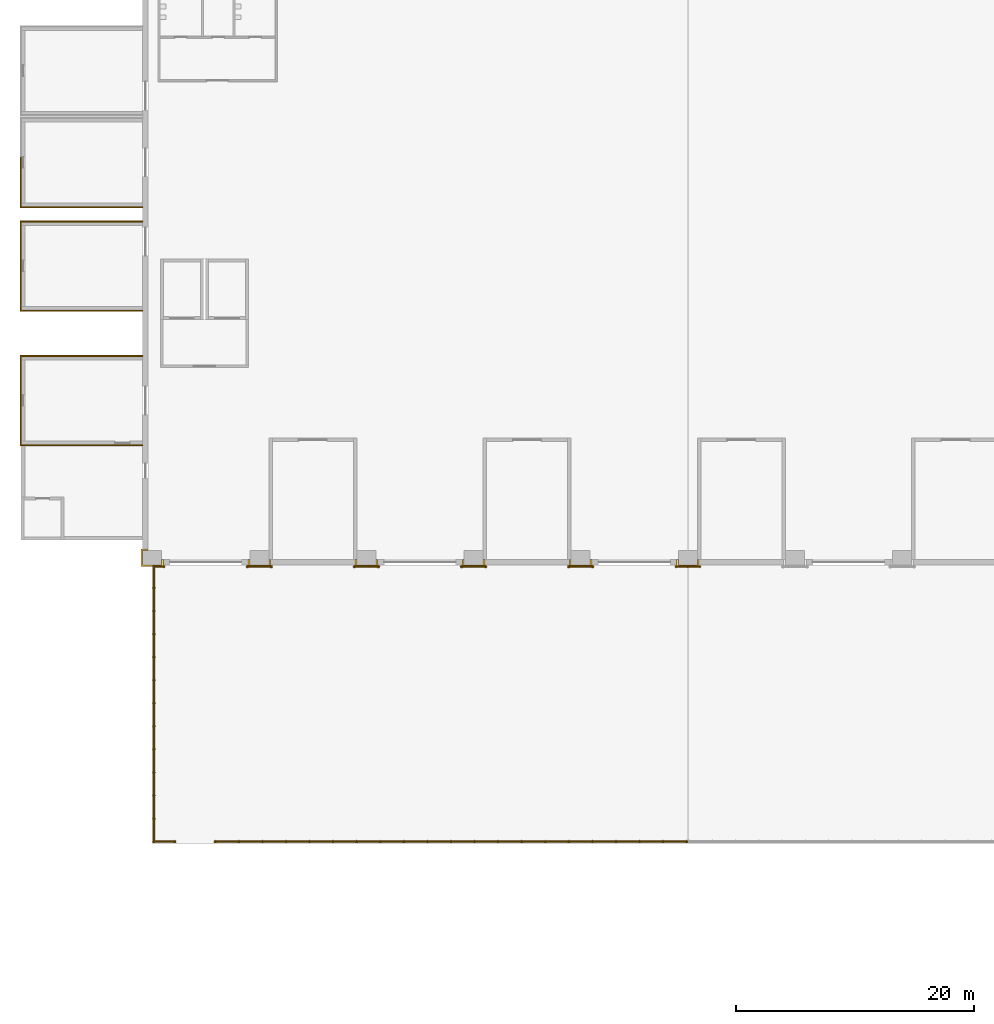
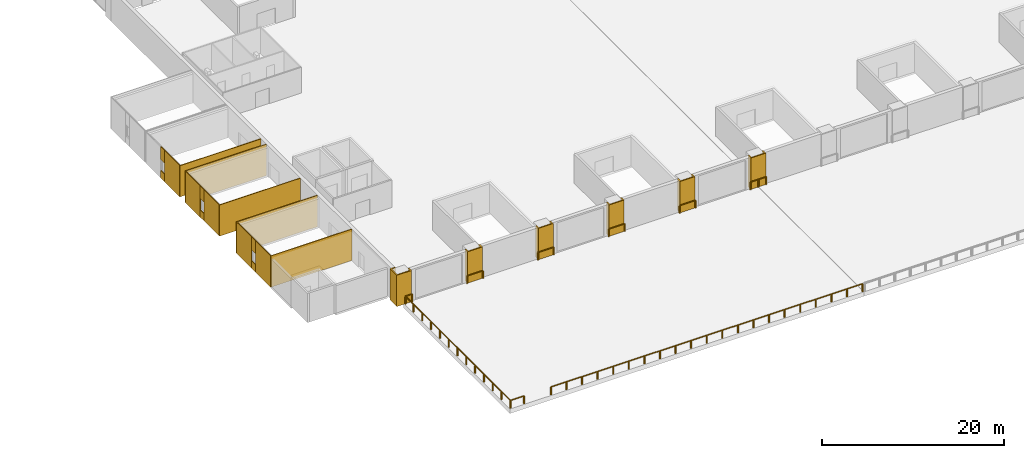
# One storey, part 29 of 39: 22 coverings, 9 railings.
"""IFC4 building model written with IfcOpenShell, lengths in metres."""

from ifc_helpers import new_model, si_unit, direction, frame, origin, origin_2d, place, context, subcontext, project, spatial, polyline, circle, outline, extrude, material, layer, layer_set, type_object, element, save


model = new_model("IFC4")

# Units and contexts
model_context = context("Model", 3, precision=1e-05, world=origin(), true_north=direction((0.0, 1.0)))
body_context = subcontext(model_context, "Body", "Model", "MODEL_VIEW")
ifc_project = project(units=[si_unit("LENGTHUNIT", "METRE"), si_unit("AREAUNIT", "SQUARE_METRE"), si_unit("VOLUMEUNIT", "CUBIC_METRE"), si_unit("PLANEANGLEUNIT", "RADIAN"), si_unit("MASSUNIT", "GRAM", prefix="KILO")], contexts=[model_context])

# Site, building, storey
site_placement = place(None, origin())
site = spatial("IfcSite", under=ifc_project, at=site_placement, CompositionType="ELEMENT")
building_placement = place(site_placement, origin())
building = spatial("IfcBuilding", under=site, at=building_placement, Name="Aravalli Gate Trade Fair Centre", CompositionType="ELEMENT")
storey_placement = place(building_placement, frame((0.0, 0.0, 15.0)))
storey = spatial("IfcBuildingStorey", under=building, at=storey_placement, Name="L03", CompositionType="ELEMENT", Elevation=15.0)

# Railings
ifc_material_1 = material(Name="Steel E350", Category="steel")
railing_type = type_object("IfcRailingType", Name="Crash barrier 1100", PredefinedType="USERDEFINED", material=ifc_material_1)
railing_1_placement = place(storey_placement, frame((6.14990234375, 45.39990234375, 0.0)))
element("IfcRailing", 1, at=railing_1_placement, inside=storey, type_object=railing_type, Name="Crash barrier 1", ObjectType="Crash barrier", PredefinedType="USERDEFINED", context=body_context, shape_type="SweptSolid", body=[
    extrude(circle(Radius=0.06982421875, at=origin_2d()), frame((0.0, 0.0, 1.0302734375), z_axis=(0.0, -1.0, 0.0), x_axis=(1.0, 0.0, 0.0)), (0.0, 0.0, 1.0), 23.25),
    extrude(circle(Radius=0.06982421875, at=origin_2d()), frame((0.0, -23.25, 1.0302734375), z_axis=(1.0, 0.0, 0.0), x_axis=(0.0, 1.0, 0.0)), (0.0, 0.0, 1.0), 1.75),
    extrude(circle(Radius=0.10009765625, at=origin_2d()), origin(), (0.0, 0.0, 1.0), 0.960205078125),
    extrude(circle(Radius=0.10009765625, at=origin_2d()), frame((0.0, -1.9375, 0.0)), (0.0, 0.0, 1.0), 0.960205078125),
    extrude(circle(Radius=0.10009765625, at=origin_2d()), frame((0.0, -3.875, 0.0)), (0.0, 0.0, 1.0), 0.960205078125),
    extrude(circle(Radius=0.10009765625, at=origin_2d()), frame((0.0, -5.8125, 0.0)), (0.0, 0.0, 1.0), 0.960205078125),
    extrude(circle(Radius=0.10009765625, at=origin_2d()), frame((0.0, -7.75, 0.0)), (0.0, 0.0, 1.0), 0.960205078125),
    extrude(circle(Radius=0.10009765625, at=origin_2d()), frame((0.0, -9.6875, 0.0)), (0.0, 0.0, 1.0), 0.960205078125),
    extrude(circle(Radius=0.10009765625, at=origin_2d()), frame((0.0, -11.625, 0.0)), (0.0, 0.0, 1.0), 0.960205078125),
    extrude(circle(Radius=0.10009765625, at=origin_2d()), frame((0.0, -13.5625, 0.0)), (0.0, 0.0, 1.0), 0.960205078125),
    extrude(circle(Radius=0.10009765625, at=origin_2d()), frame((0.0, -15.5, 0.0)), (0.0, 0.0, 1.0), 0.960205078125),
    extrude(circle(Radius=0.10009765625, at=origin_2d()), frame((0.0, -17.4375, 0.0)), (0.0, 0.0, 1.0), 0.960205078125),
    extrude(circle(Radius=0.10009765625, at=origin_2d()), frame((0.0, -19.375, 0.0)), (0.0, 0.0, 1.0), 0.960205078125),
    extrude(circle(Radius=0.10009765625, at=origin_2d()), frame((0.0, -21.3125, 0.0)), (0.0, 0.0, 1.0), 0.960205078125),
    extrude(circle(Radius=0.10009765625, at=origin_2d()), frame((0.0, -23.25, 0.0)), (0.0, 0.0, 1.0), 0.960205078125),
    extrude(circle(Radius=0.10009765625, at=origin_2d()), frame((1.75, -23.25, 0.0)), (0.0, 0.0, 1.0), 0.960205078125),
])
railing_2_placement = place(storey_placement, frame((11.300048828125, 22.14990234375, 0.0)))
element("IfcRailing", 2, at=railing_2_placement, inside=storey, type_object=railing_type, Name="Crash barrier 2", ObjectType="Crash barrier", PredefinedType="USERDEFINED", context=body_context, shape_type="SweptSolid", body=[
    extrude(circle(Radius=0.06982421875, at=origin_2d()), frame((0.0, 0.0, 1.0302734375), z_axis=(1.0, 0.0, 0.0), x_axis=(0.0, 1.0, 0.0)), (0.0, 0.0, 1.0), 39.599853515625),
    extrude(circle(Radius=0.10009765625, at=origin_2d()), origin(), (0.0, 0.0, 1.0), 0.960205078125),
    extrude(circle(Radius=0.10009765625, at=origin_2d()), frame((1.97998046875, 0.0, 0.0)), (0.0, 0.0, 1.0), 0.960205078125),
    extrude(circle(Radius=0.10009765625, at=origin_2d()), frame((3.9599609375, 0.0, 0.0)), (0.0, 0.0, 1.0), 0.960205078125),
    extrude(circle(Radius=0.10009765625, at=origin_2d()), frame((5.93994140625, 0.0, 0.0)), (0.0, 0.0, 1.0), 0.960205078125),
    extrude(circle(Radius=0.10009765625, at=origin_2d()), frame((7.919921875, 0.0, 0.0)), (0.0, 0.0, 1.0), 0.960205078125),
    extrude(circle(Radius=0.10009765625, at=origin_2d()), frame((9.89990234375, 0.0, 0.0)), (0.0, 0.0, 1.0), 0.960205078125),
    extrude(circle(Radius=0.10009765625, at=origin_2d()), frame((11.8798828125, 0.0, 0.0)), (0.0, 0.0, 1.0), 0.960205078125),
    extrude(circle(Radius=0.10009765625, at=origin_2d()), frame((13.85986328125, 0.0, 0.0)), (0.0, 0.0, 1.0), 0.960205078125),
    extrude(circle(Radius=0.10009765625, at=origin_2d()), frame((15.83984375, 0.0, 0.0)), (0.0, 0.0, 1.0), 0.960205078125),
    extrude(circle(Radius=0.10009765625, at=origin_2d()), frame((17.81982421875, 0.0, 0.0)), (0.0, 0.0, 1.0), 0.960205078125),
    extrude(circle(Radius=0.10009765625, at=origin_2d()), frame((19.7998046875, 0.0, 0.0)), (0.0, 0.0, 1.0), 0.960205078125),
    extrude(circle(Radius=0.10009765625, at=origin_2d()), frame((21.780029296875, 0.0, 0.0)), (0.0, 0.0, 1.0), 0.960205078125),
    extrude(circle(Radius=0.10009765625, at=origin_2d()), frame((23.760009765625, 0.0, 0.0)), (0.0, 0.0, 1.0), 0.960205078125),
    extrude(circle(Radius=0.10009765625, at=origin_2d()), frame((25.739990234375, 0.0, 0.0)), (0.0, 0.0, 1.0), 0.960205078125),
    extrude(circle(Radius=0.10009765625, at=origin_2d()), frame((27.719970703125, 0.0, 0.0)), (0.0, 0.0, 1.0), 0.960205078125),
    extrude(circle(Radius=0.10009765625, at=origin_2d()), frame((29.699951171875, 0.0, 0.0)), (0.0, 0.0, 1.0), 0.960205078125),
    extrude(circle(Radius=0.10009765625, at=origin_2d()), frame((31.679931640625, 0.0, 0.0)), (0.0, 0.0, 1.0), 0.960205078125),
    extrude(circle(Radius=0.10009765625, at=origin_2d()), frame((33.659912109375, 0.0, 0.0)), (0.0, 0.0, 1.0), 0.960205078125),
    extrude(circle(Radius=0.10009765625, at=origin_2d()), frame((35.639892578125, 0.0, 0.0)), (0.0, 0.0, 1.0), 0.960205078125),
    extrude(circle(Radius=0.10009765625, at=origin_2d()), frame((37.619873046875, 0.0, 0.0)), (0.0, 0.0, 1.0), 0.960205078125),
    extrude(circle(Radius=0.10009765625, at=origin_2d()), frame((39.599853515625, 0.0, 0.0)), (0.0, 0.0, 1.0), 0.960205078125),
])
railing_3_placement = place(storey_placement, frame((6.14990234375, 45.25, 0.0)))
element("IfcRailing", 3, at=railing_3_placement, inside=storey, type_object=railing_type, Name="Pier crash rail 1", ObjectType="Crash barrier", PredefinedType="USERDEFINED", context=body_context, shape_type="SweptSolid", body=[
    extrude(circle(Radius=0.06982421875, at=origin_2d()), frame((0.0, 0.0, 1.0302734375), z_axis=(1.0, 0.0, 0.0), x_axis=(0.0, 1.0, 0.0)), (0.0, 0.0, 1.0), 0.85009765625),
    extrude(circle(Radius=0.10009765625, at=origin_2d()), origin(), (0.0, 0.0, 1.0), 0.960205078125),
    extrude(circle(Radius=0.10009765625, at=origin_2d()), frame((0.85009765625, 0.0, 0.0)), (0.0, 0.0, 1.0), 0.960205078125),
])
for number, where, name in (
    (4, (14.0, 45.25, 0.0), "Pier crash rail 2"),
    (5, (23.0, 45.25, 0.0), "Pier crash rail 3"),
    (6, (32.0, 45.25, 0.0), "Pier crash rail 4"),
    (7, (41.0, 45.25, 0.0), "Pier crash rail 5"),
):
    element("IfcRailing", number, at=place(storey_placement, frame(where)), inside=storey, type_object=railing_type, Name=name, ObjectType="Crash barrier", PredefinedType="USERDEFINED", context=body_context, shape_type="SweptSolid", body=[
        extrude(circle(Radius=0.06982421875, at=origin_2d()), frame((0.0, 0.0, 1.0302734375), z_axis=(1.0, 0.0, 0.0), x_axis=(0.0, 1.0, 0.0)), (0.0, 0.0, 1.0), 2.0),
        extrude(circle(Radius=0.10009765625, at=origin_2d()), origin(), (0.0, 0.0, 1.0), 0.960205078125),
        extrude(circle(Radius=0.10009765625, at=origin_2d()), frame((2.0, 0.0, 0.0)), (0.0, 0.0, 1.0), 0.960205078125),
    ])
for number, where, name in (
    (8, (50.0, 45.25, 0.0), "Pier crash rail 6"),
    (9, (51.02001953125, 45.25, 0.0), "Pier crash rail 7"),
):
    element("IfcRailing", number, at=place(storey_placement, frame(where)), inside=storey, type_object=railing_type, Name=name, ObjectType="Crash barrier", PredefinedType="USERDEFINED", context=body_context, shape_type="SweptSolid", body=[
        extrude(circle(Radius=0.06982421875, at=origin_2d()), frame((0.0, 0.0, 1.0302734375), z_axis=(1.0, 0.0, 0.0), x_axis=(0.0, 1.0, 0.0)), (0.0, 0.0, 1.0), 0.97998046875),
        extrude(circle(Radius=0.10009765625, at=origin_2d()), origin(), (0.0, 0.0, 1.0), 0.960205078125),
        extrude(circle(Radius=0.10009765625, at=origin_2d()), frame((0.97998046875, 0.0, 0.0)), (0.0, 0.0, 1.0), 0.960205078125),
    ])

# Coverings
ifc_material_2 = material(Name="Terracotta", Category="masonry")
ifc_layer_1 = layer(ifc_material_2, 0.10009765625)
ifc_layer_set_1 = layer_set([ifc_layer_1], Name="Terracotta")
covering_type_1 = type_object("IfcCoveringType", Name="End tower cladding 100", PredefinedType="CLADDING", material=ifc_layer_set_1)
covering_1_placement = place(storey_placement, origin())
element("IfcCovering", 10, at=covering_1_placement, inside=storey, type_object=covering_type_1, Name="End tower W1 cladding L03 side A", PredefinedType="CLADDING", context=body_context, shape_type="SweptSolid", body=[
    extrude(outline(polyline([(5.199951171875, 55.39990234375), (-5.10009765625, 55.39990234375), (-5.10009765625, 55.5), (5.199951171875, 55.5), (5.199951171875, 55.39990234375)])), origin(), (0.0, 0.0, 1.0), 4.199951171875),
])
covering_2_placement = place(storey_placement, origin())
element("IfcCovering", 11, at=covering_2_placement, inside=storey, type_object=covering_type_1, Name="End tower W1 cladding L03 side B", PredefinedType="CLADDING", context=body_context, shape_type="SweptSolid", body=[
    extrude(outline(polyline([(5.199951171875, 62.89990234375), (-5.10009765625, 62.89990234375), (-5.10009765625, 63.0), (5.199951171875, 63.0), (5.199951171875, 62.89990234375)])), origin(), (0.0, 0.0, 1.0), 4.199951171875),
])
covering_3_placement = place(storey_placement, origin())
element("IfcCovering", 12, at=covering_3_placement, inside=storey, type_object=covering_type_1, Name="End tower W1 cladding L03 far left", PredefinedType="CLADDING", context=body_context, shape_type="SweptSolid", body=[
    extrude(outline(polyline([(-5.0, 55.5), (-5.10009765625, 55.5), (-5.10009765625, 58.75), (-5.0, 58.75), (-5.0, 55.5)])), origin(), (0.0, 0.0, 1.0), 4.199951171875),
])
covering_4_placement = place(storey_placement, origin())
element("IfcCovering", 13, at=covering_4_placement, inside=storey, type_object=covering_type_1, Name="End tower W1 cladding L03 far right", PredefinedType="CLADDING", context=body_context, shape_type="SweptSolid", body=[
    extrude(outline(polyline([(-5.0, 59.64990234375), (-5.10009765625, 59.64990234375), (-5.10009765625, 62.89990234375), (-5.0, 62.89990234375), (-5.0, 59.64990234375)])), origin(), (0.0, 0.0, 1.0), 4.199951171875),
])
covering_5_placement = place(storey_placement, origin())
element("IfcCovering", 14, at=covering_5_placement, inside=storey, type_object=covering_type_1, Name="End tower W1 cladding L03 below the window", PredefinedType="CLADDING", context=body_context, shape_type="SweptSolid", body=[
    extrude(outline(polyline([(-5.0, 58.75), (-5.10009765625, 58.75), (-5.10009765625, 59.64990234375), (-5.0, 59.64990234375), (-5.0, 58.75)])), origin(), (0.0, 0.0, 1.0), 1.0),
])
covering_6_placement = place(storey_placement, frame((0.0, 0.0, 2.5)))
element("IfcCovering", 15, at=covering_6_placement, inside=storey, type_object=covering_type_1, Name="End tower W1 cladding L03 above the window", PredefinedType="CLADDING", context=body_context, shape_type="SweptSolid", body=[
    extrude(outline(polyline([(-5.0, 58.75), (-5.10009765625, 58.75), (-5.10009765625, 59.64990234375), (-5.0, 59.64990234375), (-5.0, 58.75)])), origin(), (0.0, 0.0, 1.0), 1.699951171875),
])
covering_7_placement = place(storey_placement, origin())
element("IfcCovering", 16, at=covering_7_placement, inside=storey, type_object=covering_type_1, Name="End tower W2 cladding L03 side A", PredefinedType="CLADDING", context=body_context, shape_type="SweptSolid", body=[
    extrude(outline(polyline([(5.199951171875, 75.39990234375), (-5.10009765625, 75.39990234375), (-5.10009765625, 75.5), (5.199951171875, 75.5), (5.199951171875, 75.39990234375)])), origin(), (0.0, 0.0, 1.0), 4.199951171875),
])
covering_8_placement = place(storey_placement, origin())
element("IfcCovering", 17, at=covering_8_placement, inside=storey, type_object=covering_type_1, Name="End tower W2 cladding L03 far left", PredefinedType="CLADDING", context=body_context, shape_type="SweptSolid", body=[
    extrude(outline(polyline([(-5.0, 75.5), (-5.10009765625, 75.5), (-5.10009765625, 78.75), (-5.0, 78.75), (-5.0, 75.5)])), origin(), (0.0, 0.0, 1.0), 4.199951171875),
])
covering_9_placement = place(storey_placement, origin())
element("IfcCovering", 18, at=covering_9_placement, inside=storey, type_object=covering_type_1, Name="End tower W2 cladding L03 below the window", PredefinedType="CLADDING", context=body_context, shape_type="SweptSolid", body=[
    extrude(outline(polyline([(-5.0, 78.75), (-5.10009765625, 78.75), (-5.10009765625, 79.64990234375), (-5.0, 79.64990234375), (-5.0, 78.75)])), origin(), (0.0, 0.0, 1.0), 1.0),
])
covering_10_placement = place(storey_placement, frame((0.0, 0.0, 2.5)))
element("IfcCovering", 19, at=covering_10_placement, inside=storey, type_object=covering_type_1, Name="End tower W2 cladding L03 above the window", PredefinedType="CLADDING", context=body_context, shape_type="SweptSolid", body=[
    extrude(outline(polyline([(-5.0, 78.75), (-5.10009765625, 78.75), (-5.10009765625, 79.64990234375), (-5.0, 79.64990234375), (-5.0, 78.75)])), origin(), (0.0, 0.0, 1.0), 1.699951171875),
])
covering_11_placement = place(storey_placement, origin())
element("IfcCovering", 20, at=covering_11_placement, inside=storey, type_object=covering_type_1, Name="End tower W4 cladding L03 side A", PredefinedType="CLADDING", context=body_context, shape_type="SweptSolid", body=[
    extrude(outline(polyline([(5.199951171875, 66.699951171875), (-5.10009765625, 66.699951171875), (-5.10009765625, 66.800048828125), (5.199951171875, 66.800048828125), (5.199951171875, 66.699951171875)])), origin(), (0.0, 0.0, 1.0), 4.199951171875),
])
covering_12_placement = place(storey_placement, origin())
element("IfcCovering", 21, at=covering_12_placement, inside=storey, type_object=covering_type_1, Name="End tower W4 cladding L03 side B", PredefinedType="CLADDING", context=body_context, shape_type="SweptSolid", body=[
    extrude(outline(polyline([(5.199951171875, 74.199951171875), (-5.10009765625, 74.199951171875), (-5.10009765625, 74.300048828125), (5.199951171875, 74.300048828125), (5.199951171875, 74.199951171875)])), origin(), (0.0, 0.0, 1.0), 4.199951171875),
])
covering_13_placement = place(storey_placement, origin())
element("IfcCovering", 22, at=covering_13_placement, inside=storey, type_object=covering_type_1, Name="End tower W4 cladding L03 far left", PredefinedType="CLADDING", context=body_context, shape_type="SweptSolid", body=[
    extrude(outline(polyline([(-5.0, 66.800048828125), (-5.10009765625, 66.800048828125), (-5.10009765625, 70.050048828125), (-5.0, 70.050048828125), (-5.0, 66.800048828125)])), origin(), (0.0, 0.0, 1.0), 4.199951171875),
])
covering_14_placement = place(storey_placement, origin())
element("IfcCovering", 23, at=covering_14_placement, inside=storey, type_object=covering_type_1, Name="End tower W4 cladding L03 far right", PredefinedType="CLADDING", context=body_context, shape_type="SweptSolid", body=[
    extrude(outline(polyline([(-5.0, 70.949951171875), (-5.10009765625, 70.949951171875), (-5.10009765625, 74.199951171875), (-5.0, 74.199951171875), (-5.0, 70.949951171875)])), origin(), (0.0, 0.0, 1.0), 4.199951171875),
])
covering_15_placement = place(storey_placement, origin())
element("IfcCovering", 24, at=covering_15_placement, inside=storey, type_object=covering_type_1, Name="End tower W4 cladding L03 below the window", PredefinedType="CLADDING", context=body_context, shape_type="SweptSolid", body=[
    extrude(outline(polyline([(-5.0, 70.050048828125), (-5.10009765625, 70.050048828125), (-5.10009765625, 70.949951171875), (-5.0, 70.949951171875), (-5.0, 70.050048828125)])), origin(), (0.0, 0.0, 1.0), 1.0),
])
covering_16_placement = place(storey_placement, frame((0.0, 0.0, 2.5)))
element("IfcCovering", 25, at=covering_16_placement, inside=storey, type_object=covering_type_1, Name="End tower W4 cladding L03 above the window", PredefinedType="CLADDING", context=body_context, shape_type="SweptSolid", body=[
    extrude(outline(polyline([(-5.0, 70.050048828125), (-5.10009765625, 70.050048828125), (-5.10009765625, 70.949951171875), (-5.0, 70.949951171875), (-5.0, 70.050048828125)])), origin(), (0.0, 0.0, 1.0), 1.699951171875),
])
ifc_layer_2 = layer(ifc_material_2, 0.14990234375)
ifc_layer_set_2 = layer_set([ifc_layer_2], Name="Terracotta")
covering_type_2 = type_object("IfcCoveringType", Name="Terracotta pier casing", PredefinedType="CLADDING", material=ifc_layer_set_2)
covering_17_placement = place(storey_placement, origin())
element("IfcCovering", 26, at=covering_17_placement, inside=storey, type_object=covering_type_2, Name="Clad pier A1 L03", PredefinedType="CLADDING", context=body_context, shape_type="SweptSolid", body=[
    extrude(outline(polyline([(5.050048828125, 46.75), (5.64990234375, 46.75), (5.64990234375, 46.60009765625), (5.199951171875, 46.60009765625), (5.199951171875, 45.39990234375), (6.800048828125, 45.39990234375), (6.800048828125, 45.85009765625), (6.949951171875, 45.85009765625), (6.949951171875, 45.25), (5.050048828125, 45.25), (5.050048828125, 46.75)])), origin(), (0.0, 0.0, 1.0), 4.199951171875),
])
covering_18_placement = place(storey_placement, origin())
element("IfcCovering", 27, at=covering_18_placement, inside=storey, type_object=covering_type_2, Name="Clad pier A2 L03", PredefinedType="CLADDING", context=body_context, shape_type="SweptSolid", body=[
    extrude(outline(polyline([(14.050048828125, 45.85009765625), (14.199951171875, 45.85009765625), (14.199951171875, 45.39990234375), (15.800048828125, 45.39990234375), (15.800048828125, 45.85009765625), (15.949951171875, 45.85009765625), (15.949951171875, 45.25), (14.050048828125, 45.25), (14.050048828125, 45.85009765625)])), origin(), (0.0, 0.0, 1.0), 4.199951171875),
])
covering_19_placement = place(storey_placement, origin())
element("IfcCovering", 28, at=covering_19_placement, inside=storey, type_object=covering_type_2, Name="Clad pier A3 L03", PredefinedType="CLADDING", context=body_context, shape_type="SweptSolid", body=[
    extrude(outline(polyline([(23.050048828125, 45.85009765625), (23.199951171875, 45.85009765625), (23.199951171875, 45.39990234375), (24.800048828125, 45.39990234375), (24.800048828125, 45.85009765625), (24.949951171875, 45.85009765625), (24.949951171875, 45.25), (23.050048828125, 45.25), (23.050048828125, 45.85009765625)])), origin(), (0.0, 0.0, 1.0), 4.199951171875),
])
covering_20_placement = place(storey_placement, origin())
element("IfcCovering", 29, at=covering_20_placement, inside=storey, type_object=covering_type_2, Name="Clad pier A4 L03", PredefinedType="CLADDING", context=body_context, shape_type="SweptSolid", body=[
    extrude(outline(polyline([(32.050048828125, 45.85009765625), (32.199951171875, 45.85009765625), (32.199951171875, 45.39990234375), (33.800048828125, 45.39990234375), (33.800048828125, 45.85009765625), (33.949951171875, 45.85009765625), (33.949951171875, 45.25), (32.050048828125, 45.25), (32.050048828125, 45.85009765625)])), origin(), (0.0, 0.0, 1.0), 4.199951171875),
])
covering_21_placement = place(storey_placement, origin())
element("IfcCovering", 30, at=covering_21_placement, inside=storey, type_object=covering_type_2, Name="Clad pier A5 L03", PredefinedType="CLADDING", context=body_context, shape_type="SweptSolid", body=[
    extrude(outline(polyline([(41.050048828125, 45.85009765625), (41.199951171875, 45.85009765625), (41.199951171875, 45.39990234375), (42.800048828125, 45.39990234375), (42.800048828125, 45.85009765625), (42.949951171875, 45.85009765625), (42.949951171875, 45.25), (41.050048828125, 45.25), (41.050048828125, 45.85009765625)])), origin(), (0.0, 0.0, 1.0), 4.199951171875),
])
covering_22_placement = place(storey_placement, origin())
element("IfcCovering", 31, at=covering_22_placement, inside=storey, type_object=covering_type_2, Name="Clad pier A6 L03", PredefinedType="CLADDING", context=body_context, shape_type="SweptSolid", body=[
    extrude(outline(polyline([(50.050048828125, 45.85009765625), (50.199951171875, 45.85009765625), (50.199951171875, 45.39990234375), (51.800048828125, 45.39990234375), (51.800048828125, 45.85009765625), (51.949951171875, 45.85009765625), (51.949951171875, 45.25), (50.050048828125, 45.25), (50.050048828125, 45.85009765625)])), origin(), (0.0, 0.0, 1.0), 4.199951171875),
])

save(model, "model.ifc")
